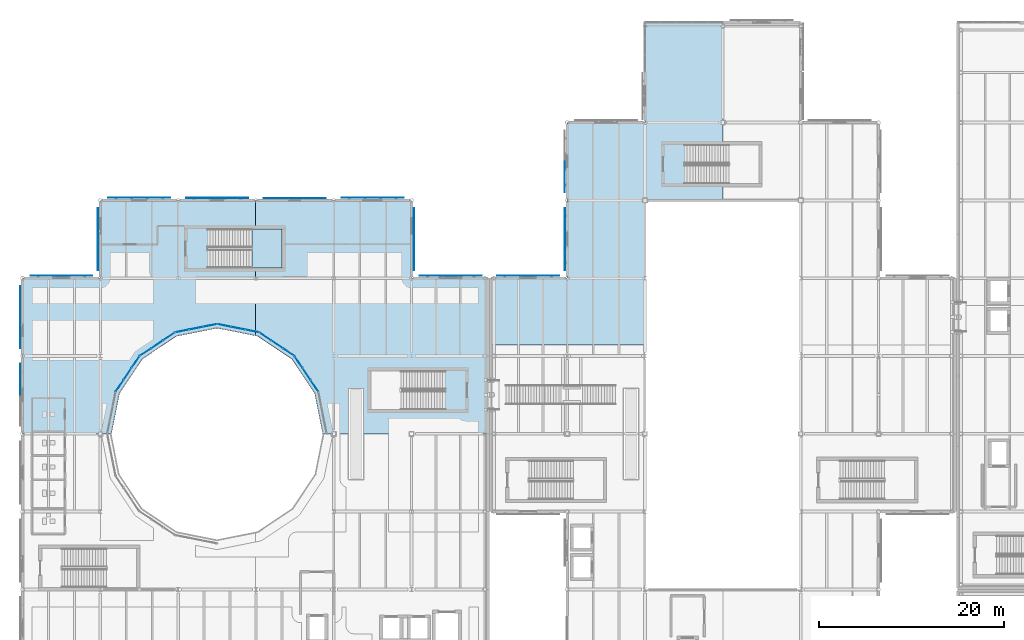
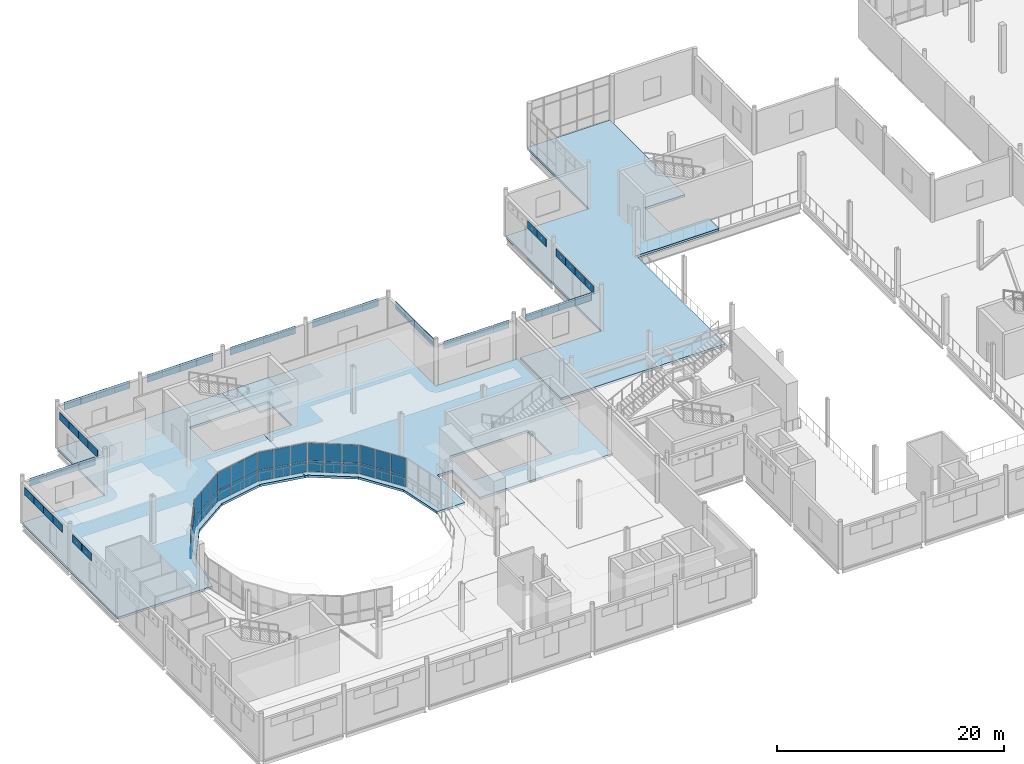
# One storey, part 61 of 104: 84 plates, 4 slabs, 7 elements without a shape of their own.
"""IFC4 building model written with IfcOpenShell, lengths in metres."""

from ifc_helpers import new_model, si_unit, direction, frame, origin, origin_2d, place, context, subcontext, project, spatial, polyline, rectangle, outline, extrude, material, layer, layer_set, type_object, element, aggregate, save


model = new_model("IFC4")

# Units and contexts
model_context = context("Model", 3, precision=1e-05, world=origin(), true_north=direction((0.0, 1.0)))
body_context = subcontext(model_context, "Body", "Model", "MODEL_VIEW")
ifc_project = project(units=[si_unit("LENGTHUNIT", "METRE"), si_unit("AREAUNIT", "SQUARE_METRE"), si_unit("VOLUMEUNIT", "CUBIC_METRE"), si_unit("PLANEANGLEUNIT", "RADIAN"), si_unit("MASSUNIT", "GRAM", prefix="KILO"), si_unit("THERMODYNAMICTEMPERATUREUNIT", "KELVIN")], contexts=[model_context])

# Site, building, storey
site_placement = place(None, origin())
site = spatial("IfcSite", under=ifc_project, at=site_placement, CompositionType="ELEMENT")
building_placement = place(site_placement, origin())
building = spatial("IfcBuilding", under=site, at=building_placement, Name="Lustrewick Department Store", CompositionType="ELEMENT")
storey_placement = place(building_placement, frame((0.0, 0.0, 11.39990234375)))
storey = spatial("IfcBuildingStorey", under=building, at=storey_placement, Name="L03", CompositionType="ELEMENT", Elevation=11.39990234375)

# Curtain wall, plates
ifc_material_1 = material(Name="Thermally broken aluminium 6063-T5", Category="aluminium")
ifc_layer_1 = layer(ifc_material_1, 0.169921875, Name="Thermally broken aluminium 6063-T5")
ifc_layer_set_1 = layer_set([ifc_layer_1], Name="Thermally broken aluminium 6063-T5")
curtain_wall_type_1 = type_object("IfcCurtainWallType", Name="CW16", PredefinedType="NOTDEFINED", material=ifc_layer_set_1)
curtain_wall_1_placement = place(storey_placement, origin())
curtain_wall_1 = element("IfcCurtainWall", 1, at=curtain_wall_1_placement, inside=storey, type_object=curtain_wall_type_1, Name="L03 Atrium Glazed Screen CW16", PredefinedType="NOTDEFINED")
ifc_material_2 = material(Name="Fire-protective atrium safety glass", Category="glass")
ifc_layer_2 = layer(ifc_material_2, 0.02490234375, Name="Fire-protective atrium safety glass")
ifc_layer_set_2 = layer_set([ifc_layer_2], Name="Fire-protective atrium safety glass")
plate_type_1 = type_object("IfcPlateType", Name="CP06", PredefinedType="CURTAIN_PANEL", material=ifc_layer_set_2)
plate_1_placement = place(storey_placement, frame((37.125, 76.016357421875, 0.065185546875), z_axis=(0.0, 0.0, 1.0), x_axis=(-0.831464212799, 0.555578313862, 0.0)))
plate_1 = element("IfcPlate", 2, at=plate_1_placement, type_object=plate_type_1, Name="CW16 panel 1.1", PredefinedType="CURTAIN_PANEL", context=body_context, shape_type="SweptSolid", body=[
    extrude(rectangle(XDim=1.443603515625, YDim=0.02490234375, at=origin_2d()), origin(), (0.0, 0.0, 1.0), 1.1025390625),
])
plate_2_placement = place(storey_placement, frame((37.125, 76.016357421875, 1.232421875), z_axis=(0.0, 0.0, 1.0), x_axis=(-0.831464212799, 0.555578313862, 0.0)))
plate_2 = element("IfcPlate", 3, at=plate_2_placement, type_object=plate_type_1, Name="CW16 panel 1.2", PredefinedType="CURTAIN_PANEL", context=body_context, shape_type="SweptSolid", body=[
    extrude(rectangle(XDim=1.443603515625, YDim=0.02490234375, at=origin_2d()), origin(), (0.0, 0.0, 1.0), 1.902587890625),
])
plate_3_placement = place(storey_placement, frame((35.85693359375, 76.863525390625, 0.065185546875), z_axis=(0.0, 0.0, 1.0), x_axis=(-0.831464212799, 0.555578313862, 0.0)))
plate_3 = element("IfcPlate", 4, at=plate_3_placement, type_object=plate_type_1, Name="CW16 panel 2.1", PredefinedType="CURTAIN_PANEL", context=body_context, shape_type="SweptSolid", body=[
    extrude(rectangle(XDim=1.476318359375, YDim=0.02490234375, at=origin_2d()), origin(), (0.0, 0.0, 1.0), 1.1025390625),
])
plate_4_placement = place(storey_placement, frame((35.85693359375, 76.863525390625, 1.232421875), z_axis=(0.0, 0.0, 1.0), x_axis=(-0.831464212799, 0.555578313862, 0.0)))
plate_4 = element("IfcPlate", 5, at=plate_4_placement, type_object=plate_type_1, Name="CW16 panel 2.2", PredefinedType="CURTAIN_PANEL", context=body_context, shape_type="SweptSolid", body=[
    extrude(rectangle(XDim=1.476318359375, YDim=0.02490234375, at=origin_2d()), origin(), (0.0, 0.0, 1.0), 1.902587890625),
])
plate_5_placement = place(storey_placement, frame((34.589111328125, 77.7109375, 0.065185546875), z_axis=(0.0, 0.0, 1.0), x_axis=(-0.831464212799, 0.555578313862, 0.0)))
plate_5 = element("IfcPlate", 6, at=plate_5_placement, type_object=plate_type_1, Name="CW16 panel 3.1", PredefinedType="CURTAIN_PANEL", context=body_context, shape_type="SweptSolid", body=[
    extrude(rectangle(XDim=1.443603515625, YDim=0.02490234375, at=origin_2d()), origin(), (0.0, 0.0, 1.0), 1.1025390625),
])
plate_6_placement = place(storey_placement, frame((34.589111328125, 77.7109375, 1.232421875), z_axis=(0.0, 0.0, 1.0), x_axis=(-0.831464212799, 0.555578313862, 0.0)))
plate_6 = element("IfcPlate", 7, at=plate_6_placement, type_object=plate_type_1, Name="CW16 panel 3.2", PredefinedType="CURTAIN_PANEL", context=body_context, shape_type="SweptSolid", body=[
    extrude(rectangle(XDim=1.443603515625, YDim=0.02490234375, at=origin_2d()), origin(), (0.0, 0.0, 1.0), 1.902587890625),
])
aggregate(curtain_wall_1, [plate_1, plate_2, plate_3, plate_4, plate_5, plate_6])

curtain_wall_2_placement = place(storey_placement, origin())
curtain_wall_2 = element("IfcCurtainWall", 8, at=curtain_wall_2_placement, inside=storey, type_object=curtain_wall_type_1, Name="L03 Atrium Glazed Screen CW16", PredefinedType="NOTDEFINED")
plate_7_placement = place(storey_placement, frame((24.2109375, 77.7109375, 0.065185546875), z_axis=(0.0, 0.0, 1.0), x_axis=(-0.831464212799, -0.555578313862, 0.0)))
plate_7 = element("IfcPlate", 9, at=plate_7_placement, type_object=plate_type_1, Name="CW16 panel 1.1", PredefinedType="CURTAIN_PANEL", context=body_context, shape_type="SweptSolid", body=[
    extrude(rectangle(XDim=1.443603515625, YDim=0.02490234375, at=origin_2d()), origin(), (0.0, 0.0, 1.0), 1.1025390625),
])
plate_8_placement = place(storey_placement, frame((24.2109375, 77.7109375, 1.232421875), z_axis=(0.0, 0.0, 1.0), x_axis=(-0.831464212799, -0.555578313862, 0.0)))
plate_8 = element("IfcPlate", 10, at=plate_8_placement, type_object=plate_type_1, Name="CW16 panel 1.2", PredefinedType="CURTAIN_PANEL", context=body_context, shape_type="SweptSolid", body=[
    extrude(rectangle(XDim=1.443603515625, YDim=0.02490234375, at=origin_2d()), origin(), (0.0, 0.0, 1.0), 1.902587890625),
])
plate_9_placement = place(storey_placement, frame((22.943115234375, 76.863525390625, 0.065185546875), z_axis=(0.0, 0.0, 1.0), x_axis=(-0.831464212799, -0.555578313862, 0.0)))
plate_9 = element("IfcPlate", 11, at=plate_9_placement, type_object=plate_type_1, Name="CW16 panel 2.1", PredefinedType="CURTAIN_PANEL", context=body_context, shape_type="SweptSolid", body=[
    extrude(rectangle(XDim=1.476318359375, YDim=0.02490234375, at=origin_2d()), origin(), (0.0, 0.0, 1.0), 1.1025390625),
])
plate_10_placement = place(storey_placement, frame((22.943115234375, 76.863525390625, 1.232421875), z_axis=(0.0, 0.0, 1.0), x_axis=(-0.831464212799, -0.555578313862, 0.0)))
plate_10 = element("IfcPlate", 12, at=plate_10_placement, type_object=plate_type_1, Name="CW16 panel 2.2", PredefinedType="CURTAIN_PANEL", context=body_context, shape_type="SweptSolid", body=[
    extrude(rectangle(XDim=1.476318359375, YDim=0.02490234375, at=origin_2d()), origin(), (0.0, 0.0, 1.0), 1.902587890625),
])
plate_11_placement = place(storey_placement, frame((21.675048828125, 76.016357421875, 0.065185546875), z_axis=(0.0, 0.0, 1.0), x_axis=(-0.831464212799, -0.555578313862, 0.0)))
plate_11 = element("IfcPlate", 13, at=plate_11_placement, type_object=plate_type_1, Name="CW16 panel 3.1", PredefinedType="CURTAIN_PANEL", context=body_context, shape_type="SweptSolid", body=[
    extrude(rectangle(XDim=1.443603515625, YDim=0.02490234375, at=origin_2d()), origin(), (0.0, 0.0, 1.0), 1.1025390625),
])
plate_12_placement = place(storey_placement, frame((21.675048828125, 76.016357421875, 1.232421875), z_axis=(0.0, 0.0, 1.0), x_axis=(-0.831464212799, -0.555578313862, 0.0)))
plate_12 = element("IfcPlate", 14, at=plate_12_placement, type_object=plate_type_1, Name="CW16 panel 3.2", PredefinedType="CURTAIN_PANEL", context=body_context, shape_type="SweptSolid", body=[
    extrude(rectangle(XDim=1.443603515625, YDim=0.02490234375, at=origin_2d()), origin(), (0.0, 0.0, 1.0), 1.902587890625),
])
aggregate(curtain_wall_2, [plate_7, plate_8, plate_9, plate_10, plate_11, plate_12])

ifc_layer_3 = layer(ifc_material_1, 0.159912109375, Name="Thermally broken aluminium 6063-T5")
ifc_layer_set_3 = layer_set([ifc_layer_3], Name="Thermally broken aluminium 6063-T5")
curtain_wall_type_2 = type_object("IfcCurtainWallType", Name="CW17", PredefinedType="NOTDEFINED", material=ifc_layer_set_3)
curtain_wall_3_placement = place(storey_placement, origin())
curtain_wall_3 = element("IfcCurtainWall", 15, at=curtain_wall_3_placement, inside=storey, type_object=curtain_wall_type_2, Name="L03 Atrium Glazed Screen CW17", PredefinedType="NOTDEFINED")
ifc_layer_4 = layer(ifc_material_2, 0.027099609375, Name="Fire-protective atrium safety glass")
ifc_layer_set_4 = layer_set([ifc_layer_4], Name="Fire-protective atrium safety glass")
plate_type_2 = type_object("IfcPlateType", Name="CP07", PredefinedType="CURTAIN_PANEL", material=ifc_layer_set_4)
plate_13_placement = place(storey_placement, frame((33.164306640625, 78.30126953125, 0.06005859375), z_axis=(0.0, 0.0, 1.0), x_axis=(-0.980786430993, 0.195084537521, 0.0)))
plate_13 = element("IfcPlate", 16, at=plate_13_placement, type_object=plate_type_2, Name="CW17 panel 1.1", PredefinedType="CURTAIN_PANEL", context=body_context, shape_type="SweptSolid", body=[
    extrude(rectangle(XDim=1.451171875, YDim=0.027099609375, at=origin_2d()), origin(), (0.0, 0.0, 1.0), 1.110107421875),
])
plate_14_placement = place(storey_placement, frame((33.164306640625, 78.30126953125, 1.22998046875), z_axis=(0.0, 0.0, 1.0), x_axis=(-0.980786430993, 0.195084537521, 0.0)))
plate_14 = element("IfcPlate", 17, at=plate_14_placement, type_object=plate_type_2, Name="CW17 panel 1.2", PredefinedType="CURTAIN_PANEL", context=body_context, shape_type="SweptSolid", body=[
    extrude(rectangle(XDim=1.451171875, YDim=0.027099609375, at=origin_2d()), origin(), (0.0, 0.0, 1.0), 1.909912109375),
])
plate_15_placement = place(storey_placement, frame((31.66748046875, 78.59912109375, 0.06005859375), z_axis=(0.0, 0.0, 1.0), x_axis=(-0.980786430993, 0.195084537521, 0.0)))
plate_15 = element("IfcPlate", 18, at=plate_15_placement, type_object=plate_type_2, Name="CW17 panel 2.1", PredefinedType="CURTAIN_PANEL", context=body_context, shape_type="SweptSolid", body=[
    extrude(rectangle(XDim=1.481201171875, YDim=0.027099609375, at=origin_2d()), origin(), (0.0, 0.0, 1.0), 1.110107421875),
])
plate_16_placement = place(storey_placement, frame((31.66748046875, 78.59912109375, 1.22998046875), z_axis=(0.0, 0.0, 1.0), x_axis=(-0.980786430993, 0.195084537521, 0.0)))
plate_16 = element("IfcPlate", 19, at=plate_16_placement, type_object=plate_type_2, Name="CW17 panel 2.2", PredefinedType="CURTAIN_PANEL", context=body_context, shape_type="SweptSolid", body=[
    extrude(rectangle(XDim=1.481201171875, YDim=0.027099609375, at=origin_2d()), origin(), (0.0, 0.0, 1.0), 1.909912109375),
])
plate_17_placement = place(storey_placement, frame((30.17041015625, 78.896728515625, 0.06005859375), z_axis=(0.0, 0.0, 1.0), x_axis=(-0.980786430993, 0.195084537521, 0.0)))
plate_17 = element("IfcPlate", 20, at=plate_17_placement, type_object=plate_type_2, Name="CW17 panel 3.1", PredefinedType="CURTAIN_PANEL", context=body_context, shape_type="SweptSolid", body=[
    extrude(rectangle(XDim=1.451171875, YDim=0.027099609375, at=origin_2d()), origin(), (0.0, 0.0, 1.0), 1.110107421875),
])
plate_18_placement = place(storey_placement, frame((30.17041015625, 78.896728515625, 1.22998046875), z_axis=(0.0, 0.0, 1.0), x_axis=(-0.980786430993, 0.195084537521, 0.0)))
plate_18 = element("IfcPlate", 21, at=plate_18_placement, type_object=plate_type_2, Name="CW17 panel 3.2", PredefinedType="CURTAIN_PANEL", context=body_context, shape_type="SweptSolid", body=[
    extrude(rectangle(XDim=1.451171875, YDim=0.027099609375, at=origin_2d()), origin(), (0.0, 0.0, 1.0), 1.909912109375),
])
aggregate(curtain_wall_3, [plate_13, plate_14, plate_15, plate_16, plate_17, plate_18])

curtain_wall_4_placement = place(storey_placement, origin())
curtain_wall_4 = element("IfcCurtainWall", 22, at=curtain_wall_4_placement, inside=storey, type_object=curtain_wall_type_2, Name="L03 Atrium Glazed Screen CW17", PredefinedType="NOTDEFINED")
plate_19_placement = place(storey_placement, frame((20.584228515625, 74.926025390625, 0.06005859375), z_axis=(0.0, 0.0, 1.0), x_axis=(-0.555578313862, -0.831464212799, 0.0)))
plate_19 = element("IfcPlate", 23, at=plate_19_placement, type_object=plate_type_2, Name="CW17 panel 1.1", PredefinedType="CURTAIN_PANEL", context=body_context, shape_type="SweptSolid", body=[
    extrude(rectangle(XDim=1.451171875, YDim=0.027099609375, at=origin_2d()), origin(), (0.0, 0.0, 1.0), 1.110107421875),
])
plate_20_placement = place(storey_placement, frame((20.584228515625, 74.926025390625, 1.22998046875), z_axis=(0.0, 0.0, 1.0), x_axis=(-0.555578313862, -0.831464212799, 0.0)))
plate_20 = element("IfcPlate", 24, at=plate_20_placement, type_object=plate_type_2, Name="CW17 panel 1.2", PredefinedType="CURTAIN_PANEL", context=body_context, shape_type="SweptSolid", body=[
    extrude(rectangle(XDim=1.451171875, YDim=0.027099609375, at=origin_2d()), origin(), (0.0, 0.0, 1.0), 1.909912109375),
])
plate_21_placement = place(storey_placement, frame((19.736328125, 73.656982421875, 0.06005859375), z_axis=(0.0, 0.0, 1.0), x_axis=(-0.555578313862, -0.831464212799, 0.0)))
plate_21 = element("IfcPlate", 25, at=plate_21_placement, type_object=plate_type_2, Name="CW17 panel 2.1", PredefinedType="CURTAIN_PANEL", context=body_context, shape_type="SweptSolid", body=[
    extrude(rectangle(XDim=1.481201171875, YDim=0.027099609375, at=origin_2d()), origin(), (0.0, 0.0, 1.0), 1.110107421875),
])
plate_22_placement = place(storey_placement, frame((19.736328125, 73.656982421875, 1.22998046875), z_axis=(0.0, 0.0, 1.0), x_axis=(-0.555578313862, -0.831464212799, 0.0)))
plate_22 = element("IfcPlate", 26, at=plate_22_placement, type_object=plate_type_2, Name="CW17 panel 2.2", PredefinedType="CURTAIN_PANEL", context=body_context, shape_type="SweptSolid", body=[
    extrude(rectangle(XDim=1.481201171875, YDim=0.027099609375, at=origin_2d()), origin(), (0.0, 0.0, 1.0), 1.909912109375),
])
plate_23_placement = place(storey_placement, frame((18.888427734375, 72.387939453125, 0.06005859375), z_axis=(0.0, 0.0, 1.0), x_axis=(-0.555578313862, -0.831464212799, 0.0)))
plate_23 = element("IfcPlate", 27, at=plate_23_placement, type_object=plate_type_2, Name="CW17 panel 3.1", PredefinedType="CURTAIN_PANEL", context=body_context, shape_type="SweptSolid", body=[
    extrude(rectangle(XDim=1.451171875, YDim=0.027099609375, at=origin_2d()), origin(), (0.0, 0.0, 1.0), 1.110107421875),
])
plate_24_placement = place(storey_placement, frame((18.888427734375, 72.387939453125, 1.22998046875), z_axis=(0.0, 0.0, 1.0), x_axis=(-0.555578313862, -0.831464212799, 0.0)))
plate_24 = element("IfcPlate", 28, at=plate_24_placement, type_object=plate_type_2, Name="CW17 panel 3.2", PredefinedType="CURTAIN_PANEL", context=body_context, shape_type="SweptSolid", body=[
    extrude(rectangle(XDim=1.451171875, YDim=0.027099609375, at=origin_2d()), origin(), (0.0, 0.0, 1.0), 1.909912109375),
])
aggregate(curtain_wall_4, [plate_19, plate_20, plate_21, plate_22, plate_23, plate_24])

ifc_layer_5 = layer(ifc_material_1, 0.14990234375, Name="Thermally broken aluminium 6063-T5")
ifc_layer_set_5 = layer_set([ifc_layer_5], Name="Thermally broken aluminium 6063-T5")
curtain_wall_type_3 = type_object("IfcCurtainWallType", Name="CW18", PredefinedType="NOTDEFINED", material=ifc_layer_set_5)
curtain_wall_5_placement = place(storey_placement, origin())
curtain_wall_5 = element("IfcCurtainWall", 29, at=curtain_wall_5_placement, inside=storey, type_object=curtain_wall_type_3, Name="L03 Atrium Glazed Screen CW18", PredefinedType="NOTDEFINED")
ifc_material_3 = material(Name="Fire-protective arcade safety glass", Category="glass")
ifc_layer_6 = layer(ifc_material_3, 0.029052734375, Name="Fire-protective arcade safety glass")
ifc_layer_set_6 = layer_set([ifc_layer_6], Name="Fire-protective arcade safety glass")
plate_type_3 = type_object("IfcPlateType", Name="CP08", PredefinedType="CURTAIN_PANEL", material=ifc_layer_set_6)
plate_25_placement = place(storey_placement, frame((39.91162109375, 72.387939453125, 0.06005859375), z_axis=(0.0, 0.0, 1.0), x_axis=(-0.555578313862, 0.831464212799, 0.0)))
plate_25 = element("IfcPlate", 30, at=plate_25_placement, type_object=plate_type_3, Name="CW18 panel 1.1", PredefinedType="CURTAIN_PANEL", context=body_context, shape_type="SweptSolid", body=[
    extrude(rectangle(XDim=1.451171875, YDim=0.029052734375, at=origin_2d()), origin(), (0.0, 0.0, 1.0), 1.110107421875),
])
plate_26_placement = place(storey_placement, frame((39.91162109375, 72.387939453125, 1.22998046875), z_axis=(0.0, 0.0, 1.0), x_axis=(-0.555578313862, 0.831464212799, 0.0)))
plate_26 = element("IfcPlate", 31, at=plate_26_placement, type_object=plate_type_3, Name="CW18 panel 1.2", PredefinedType="CURTAIN_PANEL", context=body_context, shape_type="SweptSolid", body=[
    extrude(rectangle(XDim=1.451171875, YDim=0.029052734375, at=origin_2d()), origin(), (0.0, 0.0, 1.0), 1.909912109375),
])
plate_27_placement = place(storey_placement, frame((39.063720703125, 73.656982421875, 0.06005859375), z_axis=(0.0, 0.0, 1.0), x_axis=(-0.555578313862, 0.831464212799, 0.0)))
plate_27 = element("IfcPlate", 32, at=plate_27_placement, type_object=plate_type_3, Name="CW18 panel 2.1", PredefinedType="CURTAIN_PANEL", context=body_context, shape_type="SweptSolid", body=[
    extrude(rectangle(XDim=1.481201171875, YDim=0.029052734375, at=origin_2d()), origin(), (0.0, 0.0, 1.0), 1.110107421875),
])
plate_28_placement = place(storey_placement, frame((39.063720703125, 73.656982421875, 1.22998046875), z_axis=(0.0, 0.0, 1.0), x_axis=(-0.555578313862, 0.831464212799, 0.0)))
plate_28 = element("IfcPlate", 33, at=plate_28_placement, type_object=plate_type_3, Name="CW18 panel 2.2", PredefinedType="CURTAIN_PANEL", context=body_context, shape_type="SweptSolid", body=[
    extrude(rectangle(XDim=1.481201171875, YDim=0.029052734375, at=origin_2d()), origin(), (0.0, 0.0, 1.0), 1.909912109375),
])
plate_29_placement = place(storey_placement, frame((38.215576171875, 74.926025390625, 0.06005859375), z_axis=(0.0, 0.0, 1.0), x_axis=(-0.555578313862, 0.831464212799, 0.0)))
plate_29 = element("IfcPlate", 34, at=plate_29_placement, type_object=plate_type_3, Name="CW18 panel 3.1", PredefinedType="CURTAIN_PANEL", context=body_context, shape_type="SweptSolid", body=[
    extrude(rectangle(XDim=1.451171875, YDim=0.029052734375, at=origin_2d()), origin(), (0.0, 0.0, 1.0), 1.110107421875),
])
plate_30_placement = place(storey_placement, frame((38.215576171875, 74.926025390625, 1.22998046875), z_axis=(0.0, 0.0, 1.0), x_axis=(-0.555578313862, 0.831464212799, 0.0)))
plate_30 = element("IfcPlate", 35, at=plate_30_placement, type_object=plate_type_3, Name="CW18 panel 3.2", PredefinedType="CURTAIN_PANEL", context=body_context, shape_type="SweptSolid", body=[
    extrude(rectangle(XDim=1.451171875, YDim=0.029052734375, at=origin_2d()), origin(), (0.0, 0.0, 1.0), 1.909912109375),
])
aggregate(curtain_wall_5, [plate_25, plate_26, plate_27, plate_28, plate_29, plate_30])

curtain_wall_6_placement = place(storey_placement, origin())
curtain_wall_6 = element("IfcCurtainWall", 36, at=curtain_wall_6_placement, inside=storey, type_object=curtain_wall_type_3, Name="L03 Atrium Glazed Screen CW18", PredefinedType="NOTDEFINED")
plate_31_placement = place(storey_placement, frame((28.62939453125, 78.896728515625, 0.06005859375), z_axis=(0.0, 0.0, 1.0), x_axis=(-0.980786430993, -0.195084537521, 0.0)))
plate_31 = element("IfcPlate", 37, at=plate_31_placement, type_object=plate_type_3, Name="CW18 panel 1.1", PredefinedType="CURTAIN_PANEL", context=body_context, shape_type="SweptSolid", body=[
    extrude(rectangle(XDim=1.451171875, YDim=0.029052734375, at=origin_2d()), origin(), (0.0, 0.0, 1.0), 1.110107421875),
])
plate_32_placement = place(storey_placement, frame((28.62939453125, 78.896728515625, 1.22998046875), z_axis=(0.0, 0.0, 1.0), x_axis=(-0.980786430993, -0.195084537521, 0.0)))
plate_32 = element("IfcPlate", 38, at=plate_32_placement, type_object=plate_type_3, Name="CW18 panel 1.2", PredefinedType="CURTAIN_PANEL", context=body_context, shape_type="SweptSolid", body=[
    extrude(rectangle(XDim=1.451171875, YDim=0.029052734375, at=origin_2d()), origin(), (0.0, 0.0, 1.0), 1.909912109375),
])
plate_33_placement = place(storey_placement, frame((27.132568359375, 78.59912109375, 0.06005859375), z_axis=(0.0, 0.0, 1.0), x_axis=(-0.980786430993, -0.195084537521, 0.0)))
plate_33 = element("IfcPlate", 39, at=plate_33_placement, type_object=plate_type_3, Name="CW18 panel 2.1", PredefinedType="CURTAIN_PANEL", context=body_context, shape_type="SweptSolid", body=[
    extrude(rectangle(XDim=1.481201171875, YDim=0.029052734375, at=origin_2d()), origin(), (0.0, 0.0, 1.0), 1.110107421875),
])
plate_34_placement = place(storey_placement, frame((27.132568359375, 78.59912109375, 1.22998046875), z_axis=(0.0, 0.0, 1.0), x_axis=(-0.980786430993, -0.195084537521, 0.0)))
plate_34 = element("IfcPlate", 40, at=plate_34_placement, type_object=plate_type_3, Name="CW18 panel 2.2", PredefinedType="CURTAIN_PANEL", context=body_context, shape_type="SweptSolid", body=[
    extrude(rectangle(XDim=1.481201171875, YDim=0.029052734375, at=origin_2d()), origin(), (0.0, 0.0, 1.0), 1.909912109375),
])
plate_35_placement = place(storey_placement, frame((25.6357421875, 78.30126953125, 0.06005859375), z_axis=(0.0, 0.0, 1.0), x_axis=(-0.980786430993, -0.195084537521, 0.0)))
plate_35 = element("IfcPlate", 41, at=plate_35_placement, type_object=plate_type_3, Name="CW18 panel 3.1", PredefinedType="CURTAIN_PANEL", context=body_context, shape_type="SweptSolid", body=[
    extrude(rectangle(XDim=1.451171875, YDim=0.029052734375, at=origin_2d()), origin(), (0.0, 0.0, 1.0), 1.110107421875),
])
plate_36_placement = place(storey_placement, frame((25.6357421875, 78.30126953125, 1.22998046875), z_axis=(0.0, 0.0, 1.0), x_axis=(-0.980786430993, -0.195084537521, 0.0)))
plate_36 = element("IfcPlate", 42, at=plate_36_placement, type_object=plate_type_3, Name="CW18 panel 3.2", PredefinedType="CURTAIN_PANEL", context=body_context, shape_type="SweptSolid", body=[
    extrude(rectangle(XDim=1.451171875, YDim=0.029052734375, at=origin_2d()), origin(), (0.0, 0.0, 1.0), 1.909912109375),
])
aggregate(curtain_wall_6, [plate_31, plate_32, plate_33, plate_34, plate_35, plate_36])

# Slabs
ifc_material_4 = material(Name="Concrete C30", Category="concrete")
ifc_layer_7 = layer(ifc_material_4, 0.239990234375, Name="Concrete C30")
ifc_layer_set_7 = layer_set([ifc_layer_7], Name="Concrete C30")
slab_type_1 = type_object("IfcSlabType", Name="FS03", PredefinedType="FLOOR", material=ifc_layer_set_7)
slab_1_placement = place(storey_placement, frame((0.0, 0.0, -0.239990234375)))
element("IfcSlab", 43, at=slab_1_placement, inside=storey, type_object=slab_type_1, Name="L03 V1 Floor Slab FS03", PredefinedType="FLOOR", context=body_context, shape_type="SweptSolid", body=[
    extrude(outline(polyline([(8.39990234375, 84.0), (8.39990234375, 67.199951171875), (18.0, 67.199951171875), (18.867919921875, 71.5625), (21.339111328125, 75.260986328125), (25.037353515625, 77.732177734375), (29.39990234375, 78.60009765625), (33.52490234375, 77.779541015625), (33.52490234375, 85.10009765625), (28.419921875, 85.10009765625), (28.419921875, 89.300048828125), (33.52490234375, 89.300048828125), (33.52490234375, 92.39990234375), (16.800048828125, 92.39990234375), (16.800048828125, 84.0), (8.39990234375, 84.0)])), origin(), (0.0, 0.0, 1.0), 0.239990234375),
])
slab_2_placement = place(storey_placement, frame((0.0, 0.0, -0.239990234375)))
element("IfcSlab", 44, at=slab_2_placement, inside=storey, type_object=slab_type_1, Name="L03 V1 Floor Slab FS03", PredefinedType="FLOOR", context=body_context, shape_type="SweptSolid", body=[
    extrude(outline(polyline([(58.64990234375, 67.199951171875), (58.64990234375, 84.0), (50.39990234375, 84.0), (50.39990234375, 92.39990234375), (33.52490234375, 92.39990234375), (33.52490234375, 89.300048828125), (36.39990234375, 89.300048828125), (36.39990234375, 85.10009765625), (33.52490234375, 85.10009765625), (33.52490234375, 77.779541015625), (33.7626953125, 77.732177734375), (37.4609375, 75.260986328125), (39.93212890625, 71.5625), (40.800048828125, 67.199951171875), (43.64990234375, 67.199951171875), (43.64990234375, 72.050048828125), (45.14990234375, 72.050048828125), (45.14990234375, 67.199951171875), (58.64990234375, 67.199951171875)]), holes=[polyline([(46.0, 69.800048828125), (46.0, 74.0), (53.97998046875, 74.0), (53.97998046875, 69.800048828125), (46.0, 69.800048828125)])]), origin(), (0.0, 0.0, 1.0), 0.239990234375),
])
slab_3_placement = place(storey_placement, frame((0.0, 0.0, -0.239990234375)))
element("IfcSlab", 45, at=slab_3_placement, inside=storey, type_object=slab_type_1, Name="L03 V2 Floor Slab FS03", PredefinedType="FLOOR", context=body_context, shape_type="SweptSolid", body=[
    extrude(outline(polyline([(58.949951171875, 84.0), (58.949951171875, 76.800048828125), (75.60009765625, 76.800048828125), (75.60009765625, 92.39990234375), (84.0, 92.39990234375), (84.0, 94.199951171875), (79.919921875, 94.199951171875), (79.919921875, 98.39990234375), (84.0, 98.39990234375), (84.0, 111.60009765625), (75.60009765625, 111.60009765625), (75.60009765625, 100.800048828125), (67.199951171875, 100.800048828125), (67.199951171875, 84.0), (58.949951171875, 84.0)])), origin(), (0.0, 0.0, 1.0), 0.239990234375),
])

# Stair, slab
stair_type = type_object("IfcStairType", Name="ST-H51", PredefinedType="HALF_TURN_STAIR", material=ifc_material_4)
stair_placement = place(storey_placement, origin())
stair = element("IfcStair", 46, at=stair_placement, inside=storey, type_object=stair_type, Name="L03 Smoke-Proof Exit Stair ST03", PredefinedType="HALF_TURN_STAIR")
ifc_layer_8 = layer(ifc_material_4, 0.199951171875, Name="Concrete C30")
ifc_layer_set_8 = layer_set([ifc_layer_8], Name="Concrete C30")
slab_type_2 = type_object("IfcSlabType", Name="LS01", PredefinedType="LANDING", material=ifc_layer_set_8)
slab_4_placement = place(storey_placement, frame((0.0, 0.0, 2.35009765625)))
slab_4 = element("IfcSlab", 47, at=slab_4_placement, type_object=slab_type_2, Name="ST-H51 landing 1", PredefinedType="LANDING", context=body_context, shape_type="SweptSolid", body=[
    extrude(outline(polyline([(33.14990234375, 85.10009765625), (36.39990234375, 85.10009765625), (36.39990234375, 89.300048828125), (33.14990234375, 89.300048828125), (33.14990234375, 85.10009765625)])), origin(), (0.0, 0.0, 1.0), 0.199951171875),
])
aggregate(stair, [slab_4])

# Plates
ifc_material_5 = material(Name="Perforated white powder-coated aluminium 3003-H24", Category="aluminium")
ifc_layer_9 = layer(ifc_material_5, 0.008056640625, Name="Perforated white powder-coated aluminium 3003-H24")
ifc_layer_set_9 = layer_set([ifc_layer_9], Name="Perforated white powder-coated aluminium 3003-H24")
plate_type_4 = type_object("IfcPlateType", Name="PS01", PredefinedType="SHEET", material=ifc_layer_set_9)
for number, where, z_axis, x_axis, name in (
    (48, (66.93603515625, 95.752685546875, 3.47705078125), (0.0, 0.0, 1.0), (0.0, -1.0, 0.0), "L03 Botanical Filigree Cassette PS01 0344"),
    (49, (66.93603515625, 94.07275390625, 3.47705078125), (0.0, 0.0, 1.0), (0.0, -1.0, 0.0), "L03 Botanical Filigree Cassette PS01 0345"),
    (50, (66.9560546875, 90.727294921875, 3.47705078125), (0.0, 0.0, 1.0), (0.0, -1.0, 0.0), "L03 Botanical Filigree Cassette PS01 0346"),
    (51, (66.9560546875, 89.047119140625, 3.47705078125), (0.0, 0.0, 1.0), (0.0, -1.0, 0.0), "L03 Botanical Filigree Cassette PS01 0347"),
    (52, (66.9560546875, 87.3671875, 3.47705078125), (0.0, 0.0, 1.0), (0.0, -1.0, 0.0), "L03 Botanical Filigree Cassette PS01 0348"),
    (53, (66.9560546875, 85.687255859375, 3.47705078125), (0.0, 0.0, 1.0), (0.0, -1.0, 0.0), "L03 Botanical Filigree Cassette PS01 0349"),
    (54, (65.49609375, 84.243896484375, 3.4111328125), (0.0, 0.0, 1.0), (-1.0, 0.0, 0.0), "L03 Botanical Filigree Cassette PS01 0350"),
    (55, (63.81591796875, 84.243896484375, 3.4111328125), (0.0, 0.0, 1.0), (-1.0, 0.0, 0.0), "L03 Botanical Filigree Cassette PS01 0351"),
    (56, (62.135986328125, 84.243896484375, 3.4111328125), (0.0, 0.0, 1.0), (-1.0, 0.0, 0.0), "L03 Botanical Filigree Cassette PS01 0352"),
    (57, (60.4560546875, 84.243896484375, 3.4111328125), (0.0, 0.0, 1.0), (-1.0, 0.0, 0.0), "L03 Botanical Filigree Cassette PS01 0353"),
):
    element("IfcPlate", number, at=place(storey_placement, frame(where, z_axis=z_axis, x_axis=x_axis)), inside=storey, type_object=plate_type_4, Name=name, PredefinedType="SHEET", context=body_context, shape_type="SweptSolid", body=[
        extrude(rectangle(XDim=1.639892578125, YDim=0.008056640625, at=origin_2d()), origin(), (0.0, 0.0, 1.0), 0.840087890625),
    ])
ifc_material_6 = material(Name="Sage-green enamelled aluminium spandrel 3003-H24", Category="aluminium")
ifc_layer_10 = layer(ifc_material_6, 0.01611328125, Name="Sage-green enamelled aluminium spandrel 3003-H24")
ifc_layer_set_10 = layer_set([ifc_layer_10], Name="Sage-green enamelled aluminium spandrel 3003-H24")
plate_type_5 = type_object("IfcPlateType", Name="PS05", PredefinedType="SHEET", material=ifc_layer_set_10)
for number, where, z_axis, x_axis, name in (
    (58, (57.14404296875, 84.248046875, 3.4111328125), (0.0, 0.0, 1.0), (-1.0, 0.0, 0.0), "L03 Botanical Filigree Cassette PS05 0205"),
    (59, (55.464111328125, 84.248046875, 3.4111328125), (0.0, 0.0, 1.0), (-1.0, 0.0, 0.0), "L03 Botanical Filigree Cassette PS05 0206"),
    (60, (53.783935546875, 84.248046875, 3.4111328125), (0.0, 0.0, 1.0), (-1.0, 0.0, 0.0), "L03 Botanical Filigree Cassette PS05 0207"),
    (61, (52.10400390625, 84.248046875, 3.4111328125), (0.0, 0.0, 1.0), (-1.0, 0.0, 0.0), "L03 Botanical Filigree Cassette PS05 0208"),
    (62, (50.657958984375, 85.687255859375, 3.56689453125), (0.0, 0.0, 1.0), (0.0, 1.0, 0.0), "L03 Botanical Filigree Cassette PS05 0209"),
    (63, (50.657958984375, 87.3671875, 3.56689453125), (0.0, 0.0, 1.0), (0.0, 1.0, 0.0), "L03 Botanical Filigree Cassette PS05 0210"),
    (64, (50.657958984375, 89.047119140625, 3.56689453125), (0.0, 0.0, 1.0), (0.0, 1.0, 0.0), "L03 Botanical Filigree Cassette PS05 0211"),
    (65, (50.657958984375, 90.727294921875, 3.56689453125), (0.0, 0.0, 1.0), (0.0, 1.0, 0.0), "L03 Botanical Filigree Cassette PS05 0212"),
    (66, (48.719970703125, 92.66796875, 3.56689453125), (0.0, 0.0, 1.0), (-1.0, 0.0, 0.0), "L03 Botanical Filigree Cassette PS05 0213"),
    (67, (47.0400390625, 92.66796875, 3.56689453125), (0.0, 0.0, 1.0), (-1.0, 0.0, 0.0), "L03 Botanical Filigree Cassette PS05 0214"),
    (68, (45.360107421875, 92.66796875, 3.56689453125), (0.0, 0.0, 1.0), (-1.0, 0.0, 0.0), "L03 Botanical Filigree Cassette PS05 0215"),
    (69, (43.679931640625, 92.66796875, 3.56689453125), (0.0, 0.0, 1.0), (-1.0, 0.0, 0.0), "L03 Botanical Filigree Cassette PS05 0216"),
    (70, (40.320068359375, 92.64794921875, 3.56689453125), (0.0, 0.0, 1.0), (-1.0, 0.0, 0.0), "L03 Botanical Filigree Cassette PS05 0217"),
    (71, (38.639892578125, 92.64794921875, 3.56689453125), (0.0, 0.0, 1.0), (-1.0, 0.0, 0.0), "L03 Botanical Filigree Cassette PS05 0218"),
    (72, (36.9599609375, 92.64794921875, 3.56689453125), (0.0, 0.0, 1.0), (-1.0, 0.0, 0.0), "L03 Botanical Filigree Cassette PS05 0219"),
    (73, (35.280029296875, 92.64794921875, 3.56689453125), (0.0, 0.0, 1.0), (-1.0, 0.0, 0.0), "L03 Botanical Filigree Cassette PS05 0220"),
    (74, (31.919921875, 92.657958984375, 3.56689453125), (0.0, 0.0, 1.0), (-1.0, 0.0, 0.0), "L03 Botanical Filigree Cassette PS05 0221"),
    (75, (30.239990234375, 92.657958984375, 3.56689453125), (0.0, 0.0, 1.0), (-1.0, 0.0, 0.0), "L03 Botanical Filigree Cassette PS05 0222"),
    (76, (28.56005859375, 92.657958984375, 3.56689453125), (0.0, 0.0, 1.0), (-1.0, 0.0, 0.0), "L03 Botanical Filigree Cassette PS05 0223"),
    (77, (26.8798828125, 92.657958984375, 3.56689453125), (0.0, 0.0, 1.0), (-1.0, 0.0, 0.0), "L03 Botanical Filigree Cassette PS05 0224"),
    (78, (23.52001953125, 92.66796875, 3.56689453125), (0.0, 0.0, 1.0), (-1.0, 0.0, 0.0), "L03 Botanical Filigree Cassette PS05 0225"),
    (79, (21.840087890625, 92.66796875, 3.56689453125), (0.0, 0.0, 1.0), (-1.0, 0.0, 0.0), "L03 Botanical Filigree Cassette PS05 0226"),
    (80, (20.159912109375, 92.66796875, 3.56689453125), (0.0, 0.0, 1.0), (-1.0, 0.0, 0.0), "L03 Botanical Filigree Cassette PS05 0227"),
    (81, (18.47998046875, 92.66796875, 3.56689453125), (0.0, 0.0, 1.0), (-1.0, 0.0, 0.0), "L03 Botanical Filigree Cassette PS05 0228"),
    (82, (16.552001953125, 90.727294921875, 3.56689453125), (0.0, 0.0, 1.0), (0.0, -1.0, 0.0), "L03 Botanical Filigree Cassette PS05 0229"),
    (83, (16.552001953125, 89.047119140625, 3.56689453125), (0.0, 0.0, 1.0), (0.0, -1.0, 0.0), "L03 Botanical Filigree Cassette PS05 0230"),
    (84, (16.552001953125, 87.3671875, 3.56689453125), (0.0, 0.0, 1.0), (0.0, -1.0, 0.0), "L03 Botanical Filigree Cassette PS05 0231"),
    (85, (16.552001953125, 85.687255859375, 3.56689453125), (0.0, 0.0, 1.0), (0.0, -1.0, 0.0), "L03 Botanical Filigree Cassette PS05 0232"),
    (86, (15.1201171875, 84.258056640625, 3.4111328125), (0.0, 0.0, 1.0), (-1.0, 0.0, 0.0), "L03 Botanical Filigree Cassette PS05 0233"),
    (87, (13.43994140625, 84.258056640625, 3.4111328125), (0.0, 0.0, 1.0), (-1.0, 0.0, 0.0), "L03 Botanical Filigree Cassette PS05 0234"),
    (88, (11.760009765625, 84.258056640625, 3.4111328125), (0.0, 0.0, 1.0), (-1.0, 0.0, 0.0), "L03 Botanical Filigree Cassette PS05 0235"),
    (89, (10.080078125, 84.258056640625, 3.4111328125), (0.0, 0.0, 1.0), (-1.0, 0.0, 0.0), "L03 Botanical Filigree Cassette PS05 0236"),
    (90, (8.132080078125, 82.312744140625, 3.56689453125), (0.0, 0.0, 1.0), (0.0, -1.0, 0.0), "L03 Botanical Filigree Cassette PS05 0237"),
    (91, (8.132080078125, 80.6328125, 3.56689453125), (0.0, 0.0, 1.0), (0.0, -1.0, 0.0), "L03 Botanical Filigree Cassette PS05 0238"),
    (92, (8.132080078125, 78.952880859375, 3.56689453125), (0.0, 0.0, 1.0), (0.0, -1.0, 0.0), "L03 Botanical Filigree Cassette PS05 0239"),
    (93, (8.132080078125, 77.272705078125, 3.56689453125), (0.0, 0.0, 1.0), (0.0, -1.0, 0.0), "L03 Botanical Filigree Cassette PS05 0240"),
    (94, (8.152099609375, 73.92724609375, 3.56689453125), (0.0, 0.0, 1.0), (0.0, -1.0, 0.0), "L03 Botanical Filigree Cassette PS05 0241"),
    (95, (8.152099609375, 72.247314453125, 3.56689453125), (0.0, 0.0, 1.0), (0.0, -1.0, 0.0), "L03 Botanical Filigree Cassette PS05 0242"),
):
    element("IfcPlate", number, at=place(storey_placement, frame(where, z_axis=z_axis, x_axis=x_axis)), inside=storey, type_object=plate_type_5, Name=name, PredefinedType="SHEET", context=body_context, shape_type="SweptSolid", body=[
        extrude(rectangle(XDim=1.639892578125, YDim=0.01611328125, at=origin_2d()), origin(), (0.0, 0.0, 1.0), 0.840087890625),
    ])

save(model, "model.ifc")
